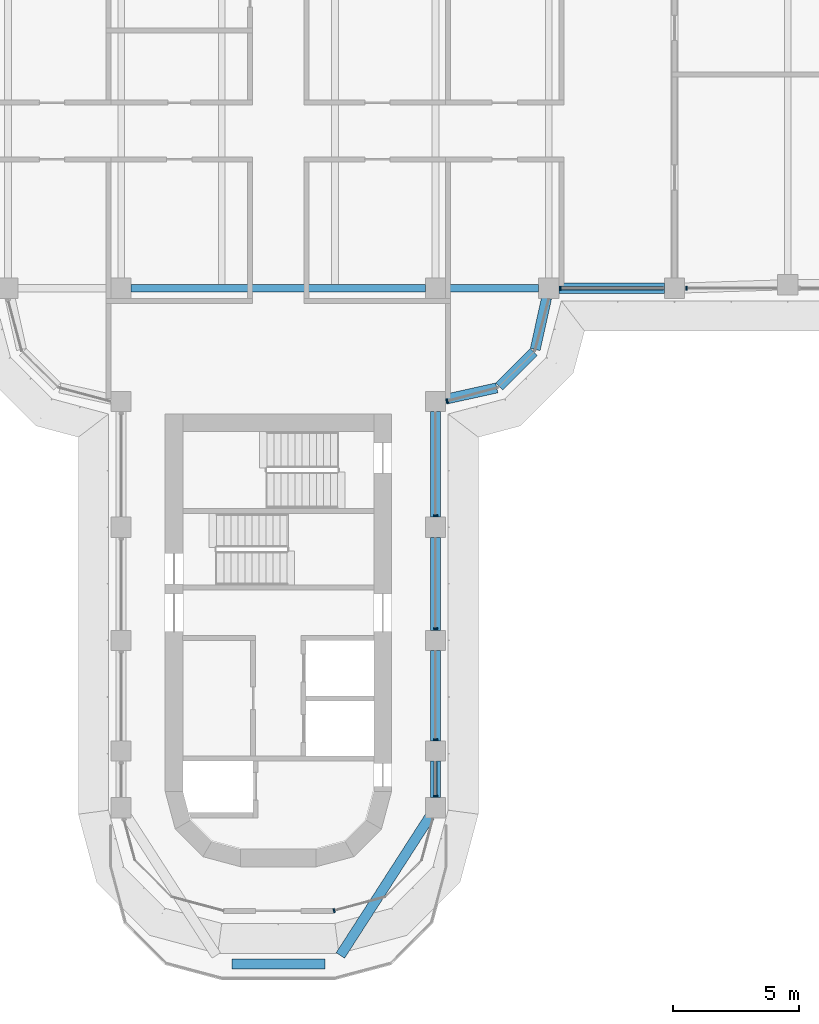
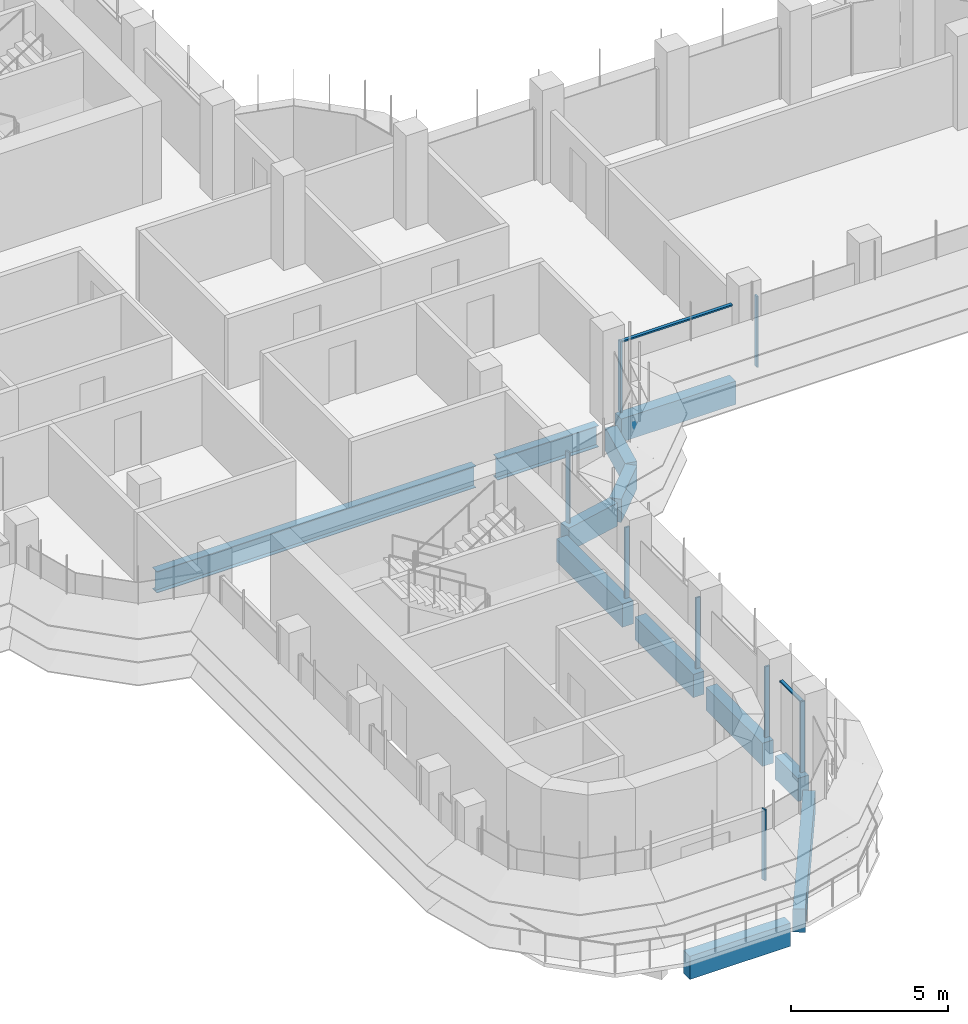
# One storey, part 4 of 20: 12 beams, 10 members, 4 elements without a shape of their own.
"""IFC4 building model written with IfcOpenShell, lengths in metres."""

from ifc_helpers import new_model, si_unit, direction, frame, origin, origin_2d, place, context, subcontext, project, spatial, polyline, rectangle, i_section, outline, extrude, source, transform, mapped, material, material_profile, profile_set, type_object, element, aggregate, save


model = new_model("IFC4")

# Units and contexts
model_context = context("Model", 3, precision=1e-05, world=origin(), true_north=direction((0.0, 1.0)))
body_context = subcontext(model_context, "Body", "Model", "MODEL_VIEW")
ifc_project = project(units=[si_unit("LENGTHUNIT", "METRE"), si_unit("AREAUNIT", "SQUARE_METRE"), si_unit("VOLUMEUNIT", "CUBIC_METRE"), si_unit("PLANEANGLEUNIT", "RADIAN"), si_unit("MASSUNIT", "GRAM", prefix="KILO")], contexts=[model_context])

# Site, building, storey
site_placement = place(None, origin())
site = spatial("IfcSite", under=ifc_project, at=site_placement, CompositionType="ELEMENT")
building_placement = place(site_placement, origin())
building = spatial("IfcBuilding", under=site, at=building_placement, Name="Zarbagh Exchange Tower", CompositionType="ELEMENT")
storey_placement = place(building_placement, frame((0.0, 0.0, 156.199951171875)))
storey = spatial("IfcBuildingStorey", under=building, at=storey_placement, Name="L37", CompositionType="ELEMENT", Elevation=156.199951171875)

# Beams
ifc_material_1 = material(Name="Steel ASTM A992 Gr 50", Category="steel")
ifc_material_profile_1 = material_profile(ifc_material_1, i_section(OverallWidth=0.2919921875, OverallDepth=0.835693359375, WebThickness=0.013916015625, FlangeThickness=0.018798828125, at=origin_2d()), Name="W33X118")
ifc_profile_set_1 = profile_set([ifc_material_profile_1], Name="Steel ASTM A992 Gr 50")
beam_type_1 = type_object("IfcBeamType", Name="Floor girder W33X118", PredefinedType="BEAM", material=ifc_profile_set_1)
beam_1_placement = place(storey_placement, frame((-5.85009765625, -6.25, -0.56787109375), z_axis=(1.0, 0.0, 0.0), x_axis=(0.0, 1.0, 0.0)))
element("IfcBeam", 1, at=beam_1_placement, inside=storey, type_object=beam_type_1, Name="Steel girder", PredefinedType="BEAM", context=body_context, shape_type="SweptSolid", body=[
    extrude(i_section(OverallWidth=0.2919921875, OverallDepth=0.835693359375, WebThickness=0.013916015625, FlangeThickness=0.018798828125, at=origin_2d()), origin(), (0.0, 0.0, 1.0), 11.7001953125),
])
beam_2_placement = place(storey_placement, frame((6.64990234375, -6.25, -0.56787109375), z_axis=(1.0, 0.0, 0.0), x_axis=(0.0, 1.0, 0.0)))
element("IfcBeam", 2, at=beam_2_placement, inside=storey, type_object=beam_type_1, Name="Steel girder", PredefinedType="BEAM", context=body_context, shape_type="SweptSolid", body=[
    extrude(i_section(OverallWidth=0.2919921875, OverallDepth=0.835693359375, WebThickness=0.013916015625, FlangeThickness=0.018798828125, at=origin_2d()), origin(), (0.0, 0.0, 1.0), 3.7001953125),
])
ifc_material_2 = material(Name="Concrete C50/60", Category="concrete")
ifc_material_profile_2 = material_profile(ifc_material_2, rectangle(XDim=0.39990234375, YDim=0.89990234375, at=origin_2d()), Name="RC spandrel beam 400 x 900 C50/60")
ifc_profile_set_2 = profile_set([ifc_material_profile_2], Name="Concrete C50/60")
beam_type_2 = type_object("IfcBeamType", Name="RC spandrel beam 400 x 900 C50/60", PredefinedType="SPANDREL", material=ifc_profile_set_2)
beam_3_placement = place(storey_placement, frame((15.35009765625, -6.25, -0.599853515625), z_axis=(-1.0, 0.0, 0.0), x_axis=(0.0, -1.0, 0.0)))
element("IfcBeam", 3, at=beam_3_placement, inside=storey, type_object=beam_type_2, Name="RC spandrel beam", PredefinedType="SPANDREL", context=body_context, shape_type="SweptSolid", body=[
    extrude(rectangle(XDim=0.39990234375, YDim=0.89990234375, at=origin_2d()), origin(), (0.0, 0.0, 1.0), 4.2001953125),
])
beam_4_placement = place(storey_placement, frame((10.66357421875, -6.640625, -0.599853515625), z_axis=(-0.216041061437, -0.976384278741, 0.0), x_axis=(0.976384278741, -0.216041061437, 0.0)))
element("IfcBeam", 4, at=beam_4_placement, inside=storey, type_object=beam_type_2, Name="RC spandrel beam", PredefinedType="SPANDREL", context=body_context, shape_type="SweptSolid", body=[
    extrude(rectangle(XDim=0.39990234375, YDim=0.89990234375, at=origin_2d()), origin(), (0.0, 0.0, 1.0), 2.0927734375),
])
beam_5_placement = place(storey_placement, frame((10.15771484375, -8.782470703125, -0.599853515625), z_axis=(-0.707106781187, -0.707106781187, 0.0), x_axis=(0.707106781187, -0.707106781187, 0.0)))
element("IfcBeam", 5, at=beam_5_placement, inside=storey, type_object=beam_type_2, Name="RC spandrel beam", PredefinedType="SPANDREL", context=body_context, shape_type="SweptSolid", body=[
    extrude(rectangle(XDim=0.39990234375, YDim=0.89990234375, at=origin_2d()), origin(), (0.0, 0.0, 1.0), 1.94482421875),
])
beam_6_placement = place(storey_placement, frame((8.68408203125, -10.21142578125, -0.599853515625), z_axis=(-0.976384278741, -0.216041061437, 0.0), x_axis=(0.216041061437, -0.976384278741, 0.0)))
element("IfcBeam", 6, at=beam_6_placement, inside=storey, type_object=beam_type_2, Name="RC spandrel beam", PredefinedType="SPANDREL", context=body_context, shape_type="SweptSolid", body=[
    extrude(rectangle(XDim=0.39990234375, YDim=0.89990234375, at=origin_2d()), origin(), (0.0, 0.0, 1.0), 2.0927734375),
])
beam_7_placement = place(storey_placement, frame((6.25, -11.14990234375, -0.599853515625), z_axis=(0.0, -1.0, 0.0), x_axis=(1.0, 0.0, 0.0)))
element("IfcBeam", 7, at=beam_7_placement, inside=storey, type_object=beam_type_2, Name="RC spandrel beam", PredefinedType="SPANDREL", context=body_context, shape_type="SweptSolid", body=[
    extrude(rectangle(XDim=0.39990234375, YDim=0.89990234375, at=origin_2d()), origin(), (0.0, 0.0, 1.0), 4.2001953125),
])
beam_8_placement = place(storey_placement, frame((6.25, -16.14990234375, -0.599853515625), z_axis=(0.0, -1.0, 0.0), x_axis=(1.0, 0.0, 0.0)))
element("IfcBeam", 8, at=beam_8_placement, inside=storey, type_object=beam_type_2, Name="RC spandrel beam", PredefinedType="SPANDREL", context=body_context, shape_type="SweptSolid", body=[
    extrude(rectangle(XDim=0.39990234375, YDim=0.89990234375, at=origin_2d()), origin(), (0.0, 0.0, 1.0), 3.7001953125),
])
beam_9_placement = place(storey_placement, frame((6.25, -20.64990234375, -0.599853515625), z_axis=(0.0, -1.0, 0.0), x_axis=(1.0, 0.0, 0.0)))
element("IfcBeam", 9, at=beam_9_placement, inside=storey, type_object=beam_type_2, Name="RC spandrel beam", PredefinedType="SPANDREL", context=body_context, shape_type="SweptSolid", body=[
    extrude(rectangle(XDim=0.39990234375, YDim=0.89990234375, at=origin_2d()), origin(), (0.0, 0.0, 1.0), 3.60009765625),
])
beam_10_placement = place(storey_placement, frame((6.25, -25.050048828125, -0.599853515625), z_axis=(0.0, -1.0, 0.0), x_axis=(1.0, 0.0, 0.0)))
element("IfcBeam", 10, at=beam_10_placement, inside=storey, type_object=beam_type_2, Name="RC spandrel beam", PredefinedType="SPANDREL", context=body_context, shape_type="SweptSolid", body=[
    extrude(rectangle(XDim=0.39990234375, YDim=0.89990234375, at=origin_2d()), origin(), (0.0, 0.0, 1.0), 1.449951171875),
])
beam_11_placement = place(storey_placement, frame((6.033447265625, -27.236328125, -0.599853515625), z_axis=(-0.541527310734, -0.840683157753, 0.0), x_axis=(0.840683157753, -0.541527310734, 0.0)))
element("IfcBeam", 11, at=beam_11_placement, inside=storey, type_object=beam_type_2, Name="RC spandrel beam", PredefinedType="SPANDREL", context=body_context, shape_type="SweptSolid", body=[
    extrude(rectangle(XDim=0.39990234375, YDim=0.89990234375, at=origin_2d()), origin(), (0.0, 0.0, 1.0), 6.586669921875),
])
beam_12_placement = place(storey_placement, frame((1.85009765625, -33.110107421875, -0.599853515625), z_axis=(-1.0, 0.0, 0.0), x_axis=(0.0, -1.0, 0.0)))
element("IfcBeam", 12, at=beam_12_placement, inside=storey, type_object=beam_type_2, Name="RC spandrel beam", PredefinedType="SPANDREL", context=body_context, shape_type="SweptSolid", body=[
    extrude(rectangle(XDim=0.39990234375, YDim=0.89990234375, at=origin_2d()), origin(), (0.0, 0.0, 1.0), 3.7001953125),
])

# Curtain wall, member
ifc_material_3 = material(Name="Anodised aluminium frame and glazing", Category="aluminium")
curtain_wall_type = type_object("IfcCurtainWallType", Name="CWB Ribbon glazing, upper zones", PredefinedType="NOTDEFINED", material=ifc_material_3)
curtain_wall_1_placement = place(storey_placement, origin())
curtain_wall_1 = element("IfcCurtainWall", 13, at=curtain_wall_1_placement, inside=storey, type_object=curtain_wall_type, Name="CWB49 curtain wall", PredefinedType="NOTDEFINED")
ifc_material_4 = material(Name="Anodised aluminium frame", Category="aluminium")
member_type_1 = type_object("IfcMemberType", Name="MUB Mullion, anodised aluminium frame", PredefinedType="MULLION", material=ifc_material_4)
shared_shape_1 = source(origin(), body_context, "Body", "SweptSolid", [
    extrude(outline(polyline([(0.0, -0.080078125), (0.06005859375, -0.080078125), (0.06005859375, 0.080078125), (0.0, 0.080078125), (0.0, -0.080078125)])), origin(), (0.0, 0.0, 1.0), 2.75),
])
placement = place(storey_placement, origin())
member_1 = element("IfcMember", 14, at=placement, type_object=member_type_1, Name="CWB49 mullion 1.1", PredefinedType="MULLION", context=body_context, shape_type="MappedRepresentation", body=[
    mapped(shared_shape_1, transform((2.18408203125, -31.0, 0.0), x_axis=(0.965924289636, 0.258824779902, 0.0), y_axis=(-0.258824779902, 0.965924289636, 0.0), z_axis=(0.0, 0.0, 1.0))),
])
aggregate(curtain_wall_1, [member_1])

# Curtain wall, members
curtain_wall_2_placement = place(storey_placement, origin())
curtain_wall_2 = element("IfcCurtainWall", 15, at=curtain_wall_2_placement, inside=storey, type_object=curtain_wall_type, Name="CWB52 curtain wall", PredefinedType="NOTDEFINED")
member_2 = element("IfcMember", 16, at=placement, type_object=member_type_1, Name="CWB52 mullion 1.1", PredefinedType="MULLION", context=body_context, shape_type="MappedRepresentation", body=[
    mapped(shared_shape_1, transform((6.25, -26.4599609375, 0.0), x_axis=(0.0, 1.0, 0.0), y_axis=(-1.0, 0.0, 0.0), z_axis=(0.0, 0.0, 1.0))),
])
member_3 = element("IfcMember", 17, at=placement, type_object=member_type_1, Name="CWB52 mullion 2.1", PredefinedType="MULLION", context=body_context, shape_type="MappedRepresentation", body=[
    mapped(shared_shape_1, transform((6.25, -24.2099609375, 0.0), x_axis=(0.0, 1.0, 0.0), y_axis=(-1.0, 0.0, 0.0), z_axis=(0.0, 0.0, 1.0))),
])
member_4 = element("IfcMember", 18, at=placement, type_object=member_type_1, Name="CWB52 mullion 3.1", PredefinedType="MULLION", context=body_context, shape_type="MappedRepresentation", body=[
    mapped(shared_shape_1, transform((6.25, -19.81005859375, 0.0), x_axis=(0.0, 1.0, 0.0), y_axis=(-1.0, 0.0, 0.0), z_axis=(0.0, 0.0, 1.0))),
])
member_5 = element("IfcMember", 19, at=placement, type_object=member_type_1, Name="CWB52 mullion 4.1", PredefinedType="MULLION", context=body_context, shape_type="MappedRepresentation", body=[
    mapped(shared_shape_1, transform((6.25, -15.31005859375, 0.0), x_axis=(0.0, 1.0, 0.0), y_axis=(-1.0, 0.0, 0.0), z_axis=(0.0, 0.0, 1.0))),
])

# Curtain wall, member
curtain_wall_3_placement = place(storey_placement, origin())
curtain_wall_3 = element("IfcCurtainWall", 20, at=curtain_wall_3_placement, inside=storey, type_object=curtain_wall_type, Name="CWB05 curtain wall", PredefinedType="NOTDEFINED")
member_6 = element("IfcMember", 21, at=placement, type_object=member_type_1, Name="CWB05 mullion 1.1", PredefinedType="MULLION", context=body_context, shape_type="MappedRepresentation", body=[
    mapped(shared_shape_1, transform((6.68994140625, -10.74853515625, 0.0), x_axis=(0.965924289636, 0.258824779902, 0.0), y_axis=(-0.258824779902, 0.965924289636, 0.0), z_axis=(0.0, 0.0, 1.0))),
])
aggregate(curtain_wall_3, [member_6])

# Curtain wall, members
curtain_wall_4_placement = place(storey_placement, origin())
curtain_wall_4 = element("IfcCurtainWall", 22, at=curtain_wall_4_placement, inside=storey, type_object=curtain_wall_type, Name="CWB08 curtain wall", PredefinedType="NOTDEFINED")
member_7 = element("IfcMember", 23, at=placement, type_object=member_type_1, Name="CWB08 mullion 1.1", PredefinedType="MULLION", context=body_context, shape_type="MappedRepresentation", body=[
    mapped(shared_shape_1, transform((11.18994140625, -6.25, 0.0), x_axis=(1.0, 0.0, 0.0), y_axis=(0.0, 1.0, 0.0), z_axis=(0.0, 0.0, 1.0))),
])
member_8 = element("IfcMember", 24, at=placement, type_object=member_type_1, Name="CWB08 mullion 2.1", PredefinedType="MULLION", context=body_context, shape_type="MappedRepresentation", body=[
    mapped(shared_shape_1, transform((16.18994140625, -6.25, 0.0), x_axis=(1.0, 0.0, 0.0), y_axis=(0.0, 1.0, 0.0), z_axis=(0.0, 0.0, 1.0))),
])
member_type_2 = type_object("IfcMemberType", Name="TRB Transom, anodised aluminium frame", PredefinedType="USERDEFINED", material=ifc_material_4)
shared_shape_2 = source(origin(), body_context, "Body", "SweptSolid", [
    extrude(outline(polyline([(-0.06005859375, -0.06005859375), (0.0, -0.06005859375), (0.0, 0.06005859375), (-0.06005859375, 0.06005859375), (-0.06005859375, -0.06005859375)])), origin(), (0.0, 0.0, 1.0), 4.06005859375),
])
member_9 = element("IfcMember", 25, at=placement, type_object=member_type_2, Name="CWB08 transom 1.1", ObjectType="TRANSOM", PredefinedType="USERDEFINED", context=body_context, shape_type="MappedRepresentation", body=[
    mapped(shared_shape_2, transform((11.25, -6.25, 2.75), x_axis=(0.0, 0.0, 1.0), y_axis=(0.0, -1.0, 0.0), z_axis=(1.0, 0.0, 0.0))),
])
aggregate(curtain_wall_4, [member_7, member_9, member_8])

# Member
shared_shape_3 = source(origin(), body_context, "Body", "SweptSolid", [
    extrude(outline(polyline([(-0.06005859375, -0.06005859375), (0.0, -0.06005859375), (0.0, 0.06005859375), (-0.06005859375, 0.06005859375), (-0.06005859375, -0.06005859375)])), origin(), (0.0, 0.0, 1.0), 1.31005859375),
])
member_10 = element("IfcMember", 26, at=placement, type_object=member_type_2, Name="CWB52 transom 1.1", ObjectType="TRANSOM", PredefinedType="USERDEFINED", context=body_context, shape_type="MappedRepresentation", body=[
    mapped(shared_shape_3, transform((6.25, -26.39990234375, 2.75), x_axis=(0.0, 0.0, 1.0), y_axis=(1.0, 0.0, 0.0), z_axis=(0.0, 1.0, 0.0))),
])

aggregate(curtain_wall_2, [member_2, member_10, member_3, member_4, member_5])

save(model, "model.ifc")
